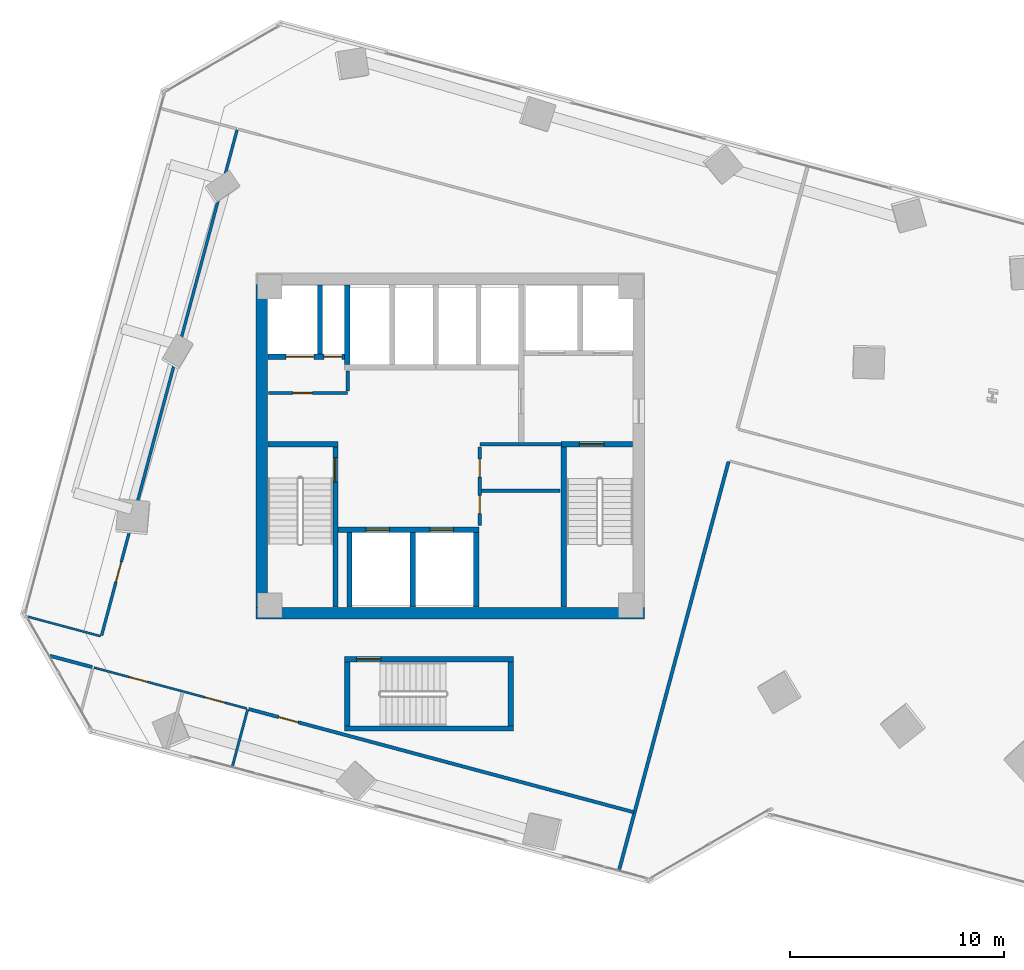
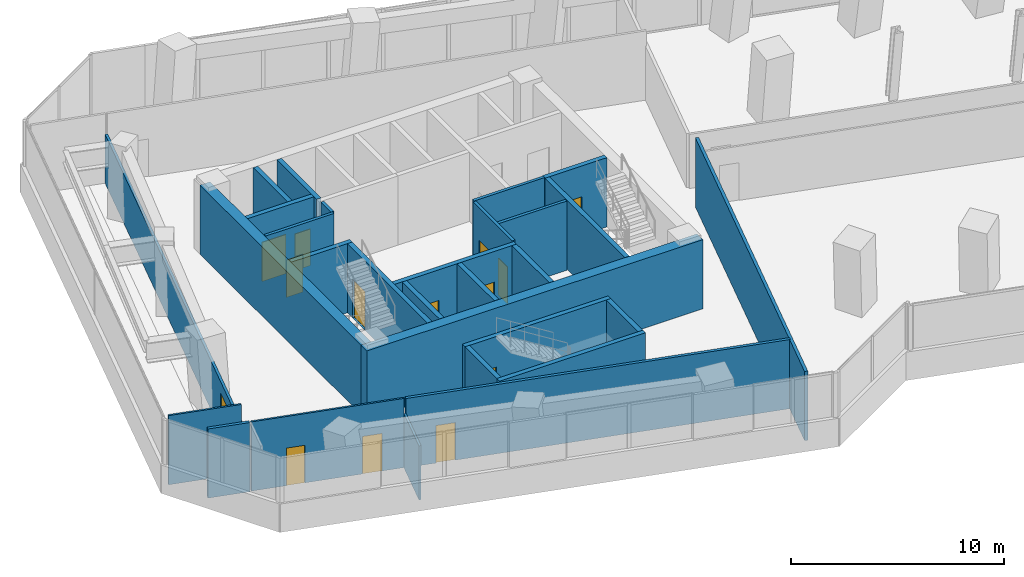
# One storey, part 20 of 26: 29 walls, 14 doors, 14 openings.
"""IFC4 building model written with IfcOpenShell, lengths in metres."""

from ifc_helpers import new_model, si_unit, direction, frame, frame_2d, origin, place, context, subcontext, project, spatial, rectangle, extrude, source, transform, mapped, material, layer, layer_set, type_object, element, fill, save


model = new_model("IFC4")

# Units and contexts
model_context = context("Model", 3, precision=1e-05, world=origin(), true_north=direction((0.0, 1.0)))
body_context = subcontext(model_context, "Body", "Model", "MODEL_VIEW")
ifc_project = project(units=[si_unit("LENGTHUNIT", "METRE"), si_unit("AREAUNIT", "SQUARE_METRE"), si_unit("VOLUMEUNIT", "CUBIC_METRE"), si_unit("PLANEANGLEUNIT", "RADIAN"), si_unit("MASSUNIT", "GRAM", prefix="KILO")], contexts=[model_context])

# Site, building, storey
site_placement = place(None, origin())
site = spatial("IfcSite", under=ifc_project, at=site_placement, CompositionType="ELEMENT")
building_placement = place(site_placement, origin())
building = spatial("IfcBuilding", under=site, at=building_placement, Name="Torre Montelarca", CompositionType="ELEMENT")
storey_placement = place(building_placement, frame((0.0, 0.0, 104.199951171875)))
storey = spatial("IfcBuildingStorey", under=building, at=storey_placement, Name="L23", CompositionType="ELEMENT", Elevation=104.199951171875)

# Wall, opening, door
ifc_material_1 = material(Name="Concrete C40/50", Category="concrete")
ifc_layer_1 = layer(ifc_material_1, 0.25, Name="Concrete C40/50", Category="concrete")
ifc_layer_set_1 = layer_set([ifc_layer_1], Name="Concrete C40/50")
wall_type_1 = type_object("IfcWallType", Name="CW-SHAFT-250", PredefinedType="SHEAR", material=ifc_layer_set_1)
wall_1_placement = place(storey_placement, frame((12.625, 24.4599609375, 0.0), z_axis=(0.0, 0.0, 1.0), x_axis=(0.0, 1.0, 0.0)))
wall_1 = element("IfcWall", 1, at=wall_1_placement, inside=storey, type_object=wall_type_1, Name="L23 Core Shear Wall SH-ST1-E", PredefinedType="SHEAR", context=body_context, shape_type="SweptSolid", body=[
    extrude(rectangle(XDim=7.489990234375, YDim=0.25, at=frame_2d((3.7451171875, 0.0))), origin(), (0.0, 0.0, 1.0), 3.9599609375),
])
opening_1_placement = place(wall_1_placement, frame((5.85009765625, 0.0, 0.0)))
opening_1 = element("IfcOpeningElement", 2, at=opening_1_placement, cuts=wall_1, Name="Opening FD-ST1", PredefinedType="OPENING", context=body_context, shape_type="SweptSolid", body=[
    extrude(rectangle(XDim=1.14990234375, YDim=2.199951171875, at=frame_2d((0.574951171875, 1.10009765625))), frame((0.0, 0.135009765625, 0.0), z_axis=(0.0, -1.0, 0.0), x_axis=(1.0, 0.0, 0.0)), (0.0, 0.0, 1.0), 0.27001953125),
])
ifc_material_2 = material(Name="Galvanized steel fire door", Category="steel")
door_type_1 = type_object("IfcDoorType", Name="DR-STAIR-115", OperationType="NOTDEFINED", PredefinedType="DOOR", material=ifc_material_2)
shared_shape_1 = source(origin(), body_context, "Body", "SweptSolid", [
    extrude(rectangle(XDim=1.14990234375, YDim=2.199951171875, at=frame_2d((0.574951171875, 1.10009765625))), frame((0.0, 0.02490234375, 0.0), z_axis=(0.0, -1.0, 0.0), x_axis=(1.0, 0.0, 0.0)), (0.0, 0.0, 1.0), 0.050048828125),
])
door_1_placement = place(opening_1_placement, origin())
door_1 = element("IfcDoor", 3, at=door_1_placement, inside=storey, type_object=door_type_1, Name="L23 Exit Stair ST1 Fire Door", OperationType="SINGLE_SWING_RIGHT", OverallHeight=2.199951171875, OverallWidth=1.14990234375, PredefinedType="DOOR", context=body_context, shape_type="MappedRepresentation", body=[
    mapped(shared_shape_1, transform((0.0, 0.0, 0.0), scale=1.0)),
])
fill(opening_1, door_1)

# Walls
wall_2_placement = place(storey_placement, frame((9.4599609375, 32.074951171875, 0.0), z_axis=(0.0, 0.0, 1.0), x_axis=(1.0, 0.0, 0.0)))
element("IfcWall", 4, at=wall_2_placement, inside=storey, type_object=wall_type_1, Name="L23 Core Shear Wall SH-ST1-N", PredefinedType="SHEAR", context=body_context, shape_type="SweptSolid", body=[
    extrude(rectangle(XDim=3.2900390625, YDim=0.25, at=frame_2d((1.64501953125, 0.0))), origin(), (0.0, 0.0, 1.0), 3.9599609375),
])
wall_3_placement = place(storey_placement, frame((23.31494140625, 24.4599609375, 0.0), z_axis=(0.0, 0.0, 1.0), x_axis=(0.0, 1.0, 0.0)))
element("IfcWall", 5, at=wall_3_placement, inside=storey, type_object=wall_type_1, Name="L23 Core Shear Wall SH-ST2-W", PredefinedType="SHEAR", context=body_context, shape_type="SweptSolid", body=[
    extrude(rectangle(XDim=7.489990234375, YDim=0.25, at=frame_2d((3.7451171875, 0.0))), origin(), (0.0, 0.0, 1.0), 3.9599609375),
])

# Wall, opening, door
wall_4_placement = place(storey_placement, frame((23.18994140625, 32.074951171875, 0.0), z_axis=(0.0, 0.0, 1.0), x_axis=(1.0, 0.0, 0.0)))
wall_4 = element("IfcWall", 6, at=wall_4_placement, inside=storey, type_object=wall_type_1, Name="L23 Core Shear Wall SH-ST2-N", PredefinedType="SHEAR", context=body_context, shape_type="SweptSolid", body=[
    extrude(rectangle(XDim=3.35009765625, YDim=0.25, at=frame_2d((1.675048828125, 0.0))), origin(), (0.0, 0.0, 1.0), 3.9599609375),
])
opening_2_placement = place(wall_4_placement, frame((0.85009765625, 0.0, 0.0)))
opening_2 = element("IfcOpeningElement", 7, at=opening_2_placement, cuts=wall_4, Name="Opening FD-ST1", PredefinedType="OPENING", context=body_context, shape_type="SweptSolid", body=[
    extrude(rectangle(XDim=1.14990234375, YDim=2.199951171875, at=frame_2d((0.574951171875, 1.10009765625))), frame((0.0, 0.135009765625, 0.0), z_axis=(0.0, -1.0, 0.0), x_axis=(1.0, 0.0, 0.0)), (0.0, 0.0, 1.0), 0.27001953125),
])
door_2_placement = place(opening_2_placement, origin())
door_2 = element("IfcDoor", 8, at=door_2_placement, inside=storey, type_object=door_type_1, Name="L23 Exit Stair ST2 Fire Door", OperationType="SINGLE_SWING_RIGHT", OverallHeight=2.199951171875, OverallWidth=1.14990234375, PredefinedType="DOOR", context=body_context, shape_type="MappedRepresentation", body=[
    mapped(shared_shape_1, transform((0.0, 0.0, 0.0), scale=1.0)),
])
fill(opening_2, door_2)

# Wall, openings, doors
wall_5_placement = place(storey_placement, frame((9.4599609375, 36.179931640625, 0.0), z_axis=(0.0, 0.0, 1.0), x_axis=(1.0, 0.0, 0.0)))
wall_5 = element("IfcWall", 9, at=wall_5_placement, inside=storey, type_object=wall_type_1, Name="L23 Core Shear Wall SH-SV1-S", PredefinedType="SHEAR", context=body_context, shape_type="SweptSolid", body=[
    extrude(rectangle(XDim=3.7900390625, YDim=0.25, at=frame_2d((1.89501953125, 0.0))), origin(), (0.0, 0.0, 1.0), 3.9599609375),
])
opening_3_placement = place(wall_5_placement, frame((2.6201171875, 0.0, 0.0)))
opening_3 = element("IfcOpeningElement", 10, at=opening_3_placement, cuts=wall_5, Name="Opening FD-085", PredefinedType="OPENING", context=body_context, shape_type="SweptSolid", body=[
    extrude(rectangle(XDim=0.85009765625, YDim=2.10009765625, at=frame_2d((0.425048828125, 1.050048828125))), frame((0.0, 0.135009765625, 0.0), z_axis=(0.0, -1.0, 0.0), x_axis=(1.0, 0.0, 0.0)), (0.0, 0.0, 1.0), 0.27001953125),
])
opening_4_placement = place(wall_5_placement, frame((0.85009765625, 0.0, 0.0)))
opening_4 = element("IfcOpeningElement", 11, at=opening_4_placement, cuts=wall_5, Name="Opening LD-130", PredefinedType="OPENING", context=body_context, shape_type="SweptSolid", body=[
    extrude(rectangle(XDim=1.300048828125, YDim=2.25, at=frame_2d((0.64990234375, 1.125))), frame((0.0, 0.135009765625, 0.0), z_axis=(0.0, -1.0, 0.0), x_axis=(1.0, 0.0, 0.0)), (0.0, 0.0, 1.0), 0.27001953125),
])
ifc_material_3 = material(Name="Steel riser access fire door", Category="steel")
door_type_2 = type_object("IfcDoorType", Name="DR-RISER-085", OperationType="NOTDEFINED", PredefinedType="DOOR", material=ifc_material_3)
shared_shape_2 = source(origin(), body_context, "Body", "SweptSolid", [
    extrude(rectangle(XDim=0.85009765625, YDim=2.10009765625, at=frame_2d((0.425048828125, 1.050048828125))), frame((0.0, 0.02490234375, 0.0), z_axis=(0.0, -1.0, 0.0), x_axis=(1.0, 0.0, 0.0)), (0.0, 0.0, 1.0), 0.050048828125),
])
door_3_placement = place(opening_3_placement, origin())
door_3 = element("IfcDoor", 12, at=door_3_placement, inside=storey, type_object=door_type_2, Name="L23 Electrical Riser Shaft Access Door", OperationType="SINGLE_SWING_RIGHT", OverallHeight=2.10009765625, OverallWidth=0.85009765625, PredefinedType="DOOR", context=body_context, shape_type="MappedRepresentation", body=[
    mapped(shared_shape_2, transform((0.0, 0.0, 0.0), scale=1.0)),
])
fill(opening_3, door_3)
ifc_material_4 = material(Name="Brushed stainless steel AISI 316", Category="steel")
door_type_3 = type_object("IfcDoorType", Name="DR-LIFT-130", OperationType="SLIDING_TO_LEFT", PredefinedType="DOOR", material=ifc_material_4)
shared_shape_3 = source(origin(), body_context, "Body", "SweptSolid", [
    extrude(rectangle(XDim=1.300048828125, YDim=2.25, at=frame_2d((0.64990234375, 1.125))), frame((0.0, 0.02490234375, 0.0), z_axis=(0.0, -1.0, 0.0), x_axis=(1.0, 0.0, 0.0)), (0.0, 0.0, 1.0), 0.050048828125),
])
door_4_placement = place(opening_4_placement, origin())
door_4 = element("IfcDoor", 13, at=door_4_placement, inside=storey, type_object=door_type_3, Name="L23 Lift Landing Sliding Door SV-1", OperationType="SLIDING_TO_LEFT", OverallHeight=2.25, OverallWidth=1.300048828125, PredefinedType="DOOR", context=body_context, shape_type="MappedRepresentation", body=[
    mapped(shared_shape_3, transform((0.0, 0.0, 0.0), scale=1.0)),
])
fill(opening_4, door_4)

# Wall
wall_6_placement = place(storey_placement, frame((11.89990234375, 36.31005859375, 0.0), z_axis=(0.0, 0.0, 1.0), x_axis=(0.0, 1.0, 0.0)))
element("IfcWall", 14, at=wall_6_placement, inside=storey, type_object=wall_type_1, Name="L23 Core Shear Wall SH-SV1-E", PredefinedType="SHEAR", context=body_context, shape_type="SweptSolid", body=[
    extrude(rectangle(XDim=3.22998046875, YDim=0.25, at=frame_2d((1.614990234375, 0.0))), origin(), (0.0, 0.0, 1.0), 3.9599609375),
])

# Wall, openings, doors
wall_7_placement = place(storey_placement, frame((12.6298828125, 28.080078125, 0.0), z_axis=(0.0, 0.0, 1.0), x_axis=(1.0, 0.0, 0.0)))
wall_7 = element("IfcWall", 15, at=wall_7_placement, inside=storey, type_object=wall_type_1, Name="L23 Core Shear Wall SH-PLL-N", PredefinedType="SHEAR", context=body_context, shape_type="SweptSolid", body=[
    extrude(rectangle(XDim=6.710205078125, YDim=0.25, at=frame_2d((3.35498046875, 0.0))), origin(), (0.0, 0.0, 1.0), 3.9599609375),
])
opening_5_placement = place(wall_7_placement, frame((1.429931640625, 0.0, 0.0)))
opening_5 = element("IfcOpeningElement", 16, at=opening_5_placement, cuts=wall_7, Name="Opening LD-110", PredefinedType="OPENING", context=body_context, shape_type="SweptSolid", body=[
    extrude(rectangle(XDim=1.10009765625, YDim=2.199951171875, at=frame_2d((0.550048828125, 1.10009765625))), frame((0.0, 0.135009765625, 0.0), z_axis=(0.0, -1.0, 0.0), x_axis=(1.0, 0.0, 0.0)), (0.0, 0.0, 1.0), 0.27001953125),
])
opening_6_placement = place(wall_7_placement, frame((4.429931640625, 0.0, 0.0)))
opening_6 = element("IfcOpeningElement", 17, at=opening_6_placement, cuts=wall_7, Name="Opening LD-110", PredefinedType="OPENING", context=body_context, shape_type="SweptSolid", body=[
    extrude(rectangle(XDim=1.10009765625, YDim=2.199951171875, at=frame_2d((0.550048828125, 1.10009765625))), frame((0.0, 0.135009765625, 0.0), z_axis=(0.0, -1.0, 0.0), x_axis=(1.0, 0.0, 0.0)), (0.0, 0.0, 1.0), 0.27001953125),
])
door_type_4 = type_object("IfcDoorType", Name="DR-LIFT-110", OperationType="SLIDING_TO_LEFT", PredefinedType="DOOR", material=ifc_material_4)
shared_shape_4 = source(origin(), body_context, "Body", "SweptSolid", [
    extrude(rectangle(XDim=1.10009765625, YDim=2.199951171875, at=frame_2d((0.550048828125, 1.10009765625))), frame((0.0, 0.02490234375, 0.0), z_axis=(0.0, -1.0, 0.0), x_axis=(1.0, 0.0, 0.0)), (0.0, 0.0, 1.0), 0.050048828125),
])
door_5_placement = place(opening_5_placement, origin())
door_5 = element("IfcDoor", 18, at=door_5_placement, inside=storey, type_object=door_type_4, Name="L23 Lift Landing Sliding Door PL-L1", OperationType="SLIDING_TO_LEFT", OverallHeight=2.199951171875, OverallWidth=1.10009765625, PredefinedType="DOOR", context=body_context, shape_type="MappedRepresentation", body=[
    mapped(shared_shape_4, transform((0.0, 0.0, 0.0), scale=1.0)),
])
fill(opening_5, door_5)
door_6_placement = place(opening_6_placement, origin())
door_6 = element("IfcDoor", 19, at=door_6_placement, inside=storey, type_object=door_type_4, Name="L23 Lift Landing Sliding Door PL-L2", OperationType="SLIDING_TO_RIGHT", OverallHeight=2.199951171875, OverallWidth=1.10009765625, PredefinedType="DOOR", context=body_context, shape_type="MappedRepresentation", body=[
    mapped(shared_shape_4, transform((0.0, 0.0, 0.0), scale=1.0)),
])
fill(opening_6, door_6)

# Walls
for number, where, z_axis, x_axis, name in (
    (20, (13.280029296875, 24.4599609375, 0.0), (0.0, 0.0, 1.0), (0.0, 1.0, 0.0), "L23 Core Shear Wall SH-PLL-W"),
    (21, (16.25, 24.4599609375, 0.0), (0.0, 0.0, 1.0), (0.0, 1.0, 0.0), "L23 Core Shear Wall SH-PLL-M"),
    (22, (19.219970703125, 24.4599609375, 0.0), (0.0, 0.0, 1.0), (0.0, 1.0, 0.0), "L23 Core Shear Wall SH-PLL-E"),
):
    element("IfcWall", number, at=place(storey_placement, frame(where, z_axis=z_axis, x_axis=x_axis)), inside=storey, type_object=wall_type_1, Name=name, PredefinedType="SHEAR", context=body_context, shape_type="SweptSolid", body=[
        extrude(rectangle(XDim=3.489990234375, YDim=0.25, at=frame_2d((1.7451171875, 0.0))), origin(), (0.0, 0.0, 1.0), 3.9599609375),
    ])
wall_8_placement = place(storey_placement, frame((13.179931640625, 35.81005859375, 0.0), z_axis=(0.0, 0.0, 1.0), x_axis=(0.0, 1.0, 0.0)))
element("IfcWall", 23, at=wall_8_placement, inside=storey, type_object=wall_type_1, Name="L23 Core Shear Wall SH-PLM-W", PredefinedType="SHEAR", context=body_context, shape_type="SweptSolid", body=[
    extrude(rectangle(XDim=3.72998046875, YDim=0.25, at=frame_2d((1.864990234375, 0.0))), origin(), (0.0, 0.0, 1.0), 3.9599609375),
])
for number, where, z_axis, x_axis, name in (
    (24, (13.175048828125, 18.89990234375, 0.0), (0.0, 0.0, 1.0), (0.0, 1.0, 0.0), "L23 Core Shear Wall SH-ST3-W"),
    (25, (20.824951171875, 18.89990234375, 0.0), (0.0, 0.0, 1.0), (0.0, 1.0, 0.0), "L23 Core Shear Wall SH-ST3-E"),
):
    element("IfcWall", number, at=place(storey_placement, frame(where, z_axis=z_axis, x_axis=x_axis)), inside=storey, type_object=wall_type_1, Name=name, PredefinedType="SHEAR", context=body_context, shape_type="SweptSolid", body=[
        extrude(rectangle(XDim=2.989990234375, YDim=0.25, at=frame_2d((1.4951171875, 0.0))), origin(), (0.0, 0.0, 1.0), 3.9599609375),
    ])
wall_9_placement = place(storey_placement, frame((13.050048828125, 18.77490234375, 0.0), z_axis=(0.0, 0.0, 1.0), x_axis=(1.0, 0.0, 0.0)))
element("IfcWall", 26, at=wall_9_placement, inside=storey, type_object=wall_type_1, Name="L23 Core Shear Wall SH-ST3-S", PredefinedType="SHEAR", context=body_context, shape_type="SweptSolid", body=[
    extrude(rectangle(XDim=7.89990234375, YDim=0.25, at=frame_2d((3.949951171875, 0.0))), origin(), (0.0, 0.0, 1.0), 3.9599609375),
])

# Wall, opening, door
wall_10_placement = place(storey_placement, frame((13.050048828125, 22.014892578125, 0.0), z_axis=(0.0, 0.0, 1.0), x_axis=(1.0, 0.0, 0.0)))
wall_10 = element("IfcWall", 27, at=wall_10_placement, inside=storey, type_object=wall_type_1, Name="L23 Core Shear Wall SH-ST3-N", PredefinedType="SHEAR", context=body_context, shape_type="SweptSolid", body=[
    extrude(rectangle(XDim=7.89990234375, YDim=0.25, at=frame_2d((3.949951171875, 0.0))), origin(), (0.0, 0.0, 1.0), 3.9599609375),
])
opening_7_placement = place(wall_10_placement, frame((0.550048828125, 0.0, 0.0)))
opening_7 = element("IfcOpeningElement", 28, at=opening_7_placement, cuts=wall_10, Name="Opening FD-ST1", PredefinedType="OPENING", context=body_context, shape_type="SweptSolid", body=[
    extrude(rectangle(XDim=1.14990234375, YDim=2.199951171875, at=frame_2d((0.574951171875, 1.10009765625))), frame((0.0, 0.135009765625, 0.0), z_axis=(0.0, -1.0, 0.0), x_axis=(1.0, 0.0, 0.0)), (0.0, 0.0, 1.0), 0.27001953125),
])
door_7_placement = place(opening_7_placement, origin())
door_7 = element("IfcDoor", 29, at=door_7_placement, inside=storey, type_object=door_type_1, Name="L23 Exit Stair ST3 Fire Door", OperationType="SINGLE_SWING_LEFT", OverallHeight=2.199951171875, OverallWidth=1.14990234375, PredefinedType="DOOR", context=body_context, shape_type="MappedRepresentation", body=[
    mapped(shared_shape_1, transform((0.0, 0.0, 0.0), scale=1.0)),
])
fill(opening_7, door_7)

# Walls
ifc_material_5 = material(Name="Concrete C70/85", Category="concrete")
ifc_layer_2 = layer(ifc_material_5, 0.550048828125, Name="Concrete C70/85", Category="concrete")
ifc_layer_set_2 = layer_set([ifc_layer_2], Name="Concrete C70/85")
wall_type_2 = type_object("IfcWallType", Name="CW-SHEAR-550", PredefinedType="SHEAR", material=ifc_layer_set_2)
wall_11_placement = place(storey_placement, frame((9.175048828125, 24.449951171875, 0.0), z_axis=(0.0, 0.0, 1.0), x_axis=(0.0, 1.0, 0.0)))
element("IfcWall", 30, at=wall_11_placement, inside=storey, type_object=wall_type_2, Name="L23 Core Shear Wall CW-W", PredefinedType="SHEAR", context=body_context, shape_type="SweptSolid", body=[
    extrude(rectangle(XDim=15.10009765625, YDim=0.550048828125, at=frame_2d((7.550048828125, 0.0))), origin(), (0.0, 0.0, 1.0), 3.9599609375),
])
wall_12_placement = place(storey_placement, frame((8.89990234375, 24.175048828125, 0.0), z_axis=(0.0, 0.0, 1.0), x_axis=(1.0, 0.0, 0.0)))
element("IfcWall", 31, at=wall_12_placement, inside=storey, type_object=wall_type_2, Name="L23 Core Shear Wall CW-S1", PredefinedType="SHEAR", context=body_context, shape_type="SweptSolid", body=[
    extrude(rectangle(XDim=18.2001953125, YDim=0.550048828125, at=frame_2d((9.10009765625, 0.0))), origin(), (0.0, 0.0, 1.0), 3.9599609375),
])

# Wall, opening, door
ifc_material_6 = material(Name="Gypsum plasterboard on steel stud", Category="steel")
ifc_layer_3 = layer(ifc_material_6, 0.159912109375, Name="Gypsum plasterboard on steel stud", Category="steel")
ifc_layer_set_3 = layer_set([ifc_layer_3], Name="Gypsum plasterboard on steel stud")
wall_type_3 = type_object("IfcWallType", Name="PW-FIRE-160", PredefinedType="PARTITIONING", material=ifc_layer_set_3)
wall_13_placement = place(storey_placement, frame((9.489990234375, 34.47998046875, 0.0), z_axis=(0.0, 0.0, 1.0), x_axis=(1.0, 0.0, 0.0)))
wall_13 = element("IfcWall", 32, at=wall_13_placement, inside=storey, type_object=wall_type_3, Name="L23 Interior Partition CW-L23-SVS", PredefinedType="PARTITIONING", context=body_context, shape_type="SweptSolid", body=[
    extrude(rectangle(XDim=3.699951171875, YDim=0.159912109375, at=frame_2d((1.85009765625, 0.0))), origin(), (0.0, 0.0, 1.0), 3.9599609375),
])
opening_8_placement = place(wall_13_placement, frame((1.14990234375, 0.0, 0.0)))
opening_8 = element("IfcOpeningElement", 33, at=opening_8_placement, cuts=wall_13, Name="Opening FD-090", PredefinedType="OPENING", context=body_context, shape_type="SweptSolid", body=[
    extrude(rectangle(XDim=0.89990234375, YDim=2.14990234375, at=frame_2d((0.449951171875, 1.074951171875))), frame((0.0, 0.08984375, 0.0), z_axis=(0.0, -1.0, 0.0), x_axis=(1.0, 0.0, 0.0)), (0.0, 0.0, 1.0), 0.179931640625),
])
ifc_material_7 = material(Name="Steel service fire door", Category="steel")
door_type_5 = type_object("IfcDoorType", Name="DR-FIRE-090", OperationType="NOTDEFINED", PredefinedType="DOOR", material=ifc_material_7)
shared_shape_5 = source(origin(), body_context, "Body", "SweptSolid", [
    extrude(rectangle(XDim=0.89990234375, YDim=2.14990234375, at=frame_2d((0.449951171875, 1.074951171875))), frame((0.0, 0.02490234375, 0.0), z_axis=(0.0, -1.0, 0.0), x_axis=(1.0, 0.0, 0.0)), (0.0, 0.0, 1.0), 0.050048828125),
])
door_8_placement = place(opening_8_placement, origin())
door_8 = element("IfcDoor", 34, at=door_8_placement, inside=storey, type_object=door_type_5, Name="L23 Interior Door 01", OperationType="SINGLE_SWING_RIGHT", OverallHeight=2.14990234375, OverallWidth=0.89990234375, PredefinedType="DOOR", context=body_context, shape_type="MappedRepresentation", body=[
    mapped(shared_shape_5, transform((0.0, 0.0, 0.0), scale=1.0)),
])
fill(opening_8, door_8)

# Walls
wall_14_placement = place(storey_placement, frame((13.199951171875, 34.570068359375, 0.0), z_axis=(0.0, 0.0, 1.0), x_axis=(0.0, 1.0, 0.0)))
element("IfcWall", 35, at=wall_14_placement, inside=storey, type_object=wall_type_3, Name="L23 Interior Partition CW-L23-SVE", PredefinedType="PARTITIONING", context=body_context, shape_type="SweptSolid", body=[
    extrude(rectangle(XDim=0.93994140625, YDim=0.159912109375, at=frame_2d((0.469970703125, 0.0))), origin(), (0.0, 0.0, 1.0), 3.9599609375),
])
wall_15_placement = place(storey_placement, frame((19.389892578125, 32.080078125, 0.0), z_axis=(0.0, 0.0, 1.0), x_axis=(1.0, 0.0, 0.0)))
element("IfcWall", 36, at=wall_15_placement, inside=storey, type_object=wall_type_3, Name="L23 Interior Partition CW-L23-SEN", PredefinedType="PARTITIONING", context=body_context, shape_type="SweptSolid", body=[
    extrude(rectangle(XDim=3.820068359375, YDim=0.159912109375, at=frame_2d((1.91015625, 0.0))), origin(), (0.0, 0.0, 1.0), 3.9599609375),
])

# Wall, openings, doors
wall_16_placement = place(storey_placement, frame((19.3798828125, 28.2900390625, 0.0), z_axis=(0.0, 0.0, 1.0), x_axis=(0.0, 1.0, 0.0)))
wall_16 = element("IfcWall", 37, at=wall_16_placement, inside=storey, type_object=wall_type_3, Name="L23 Interior Partition CW-L23-SEW", PredefinedType="PARTITIONING", context=body_context, shape_type="SweptSolid", body=[
    extrude(rectangle(XDim=3.669921875, YDim=0.159912109375, at=frame_2d((1.8349609375, 0.0))), origin(), (0.0, 0.0, 1.0), 3.9599609375),
])
opening_9_placement = place(wall_16_placement, frame((0.550048828125, 0.0, 0.0)))
opening_9 = element("IfcOpeningElement", 38, at=opening_9_placement, cuts=wall_16, Name="Opening FD-085", PredefinedType="OPENING", context=body_context, shape_type="SweptSolid", body=[
    extrude(rectangle(XDim=0.85009765625, YDim=2.10009765625, at=frame_2d((0.425048828125, 1.050048828125))), frame((0.0, 0.08984375, 0.0), z_axis=(0.0, -1.0, 0.0), x_axis=(1.0, 0.0, 0.0)), (0.0, 0.0, 1.0), 0.179931640625),
])
opening_10_placement = place(wall_16_placement, frame((2.25, 0.0, 0.0)))
opening_10 = element("IfcOpeningElement", 39, at=opening_10_placement, cuts=wall_16, Name="Opening FD-085", PredefinedType="OPENING", context=body_context, shape_type="SweptSolid", body=[
    extrude(rectangle(XDim=0.85009765625, YDim=2.10009765625, at=frame_2d((0.425048828125, 1.050048828125))), frame((0.0, 0.08984375, 0.0), z_axis=(0.0, -1.0, 0.0), x_axis=(1.0, 0.0, 0.0)), (0.0, 0.0, 1.0), 0.179931640625),
])
door_9_placement = place(opening_9_placement, origin())
door_9 = element("IfcDoor", 40, at=door_9_placement, inside=storey, type_object=door_type_2, Name="L23 Interior Door 02", OperationType="SINGLE_SWING_LEFT", OverallHeight=2.10009765625, OverallWidth=0.85009765625, PredefinedType="DOOR", context=body_context, shape_type="MappedRepresentation", body=[
    mapped(shared_shape_2, transform((0.0, 0.0, 0.0), scale=1.0)),
])
fill(opening_9, door_9)
door_10_placement = place(opening_10_placement, origin())
door_10 = element("IfcDoor", 41, at=door_10_placement, inside=storey, type_object=door_type_2, Name="L23 Interior Door 03", OperationType="SINGLE_SWING_RIGHT", OverallHeight=2.10009765625, OverallWidth=0.85009765625, PredefinedType="DOOR", context=body_context, shape_type="MappedRepresentation", body=[
    mapped(shared_shape_2, transform((0.0, 0.0, 0.0), scale=1.0)),
])
fill(opening_10, door_10)

# Walls
wall_17_placement = place(storey_placement, frame((19.419921875, 29.89990234375, 0.0), z_axis=(0.0, 0.0, 1.0), x_axis=(1.0, 0.0, 0.0)))
element("IfcWall", 42, at=wall_17_placement, inside=storey, type_object=wall_type_3, Name="L23 Interior Partition CW-L23-SEM", PredefinedType="PARTITIONING", context=body_context, shape_type="SweptSolid", body=[
    extrude(rectangle(XDim=3.719970703125, YDim=0.159912109375, at=frame_2d((1.85986328125, 0.0))), origin(), (0.0, 0.0, 1.0), 3.9599609375),
])
wall_18_placement = place(storey_placement, frame((-0.7216796875, 22.176513671875, 0.0), z_axis=(0.0, 0.0, 1.0), x_axis=(0.965965207833, -0.258672026426, 0.0)))
element("IfcWall", 43, at=wall_18_placement, inside=storey, type_object=wall_type_3, Name="L23 Interior Partition W-L23-SOCCW", PredefinedType="PARTITIONING", context=body_context, shape_type="SweptSolid", body=[
    extrude(rectangle(XDim=2.031982421875, YDim=0.159912109375, at=frame_2d((1.01611328125, 0.0))), origin(), (0.0, 0.0, 1.0), 3.9599609375),
])

# Wall, opening, door
wall_19_placement = place(storey_placement, frame((8.562744140625, 19.688720703125, 0.0), z_axis=(0.0, 0.0, 1.0), x_axis=(0.965928721089, -0.258808241319, 0.0)))
wall_19 = element("IfcWall", 44, at=wall_19_placement, inside=storey, type_object=wall_type_3, Name="L23 Interior Partition W-L23-SOCCN", PredefinedType="PARTITIONING", context=body_context, shape_type="SweptSolid", body=[
    extrude(rectangle(XDim=18.659912109375, YDim=0.159912109375, at=frame_2d((9.330078125, 0.0))), origin(), (0.0, 0.0, 1.0), 3.9599609375),
])
opening_11_placement = place(wall_19_placement, frame((1.449951171875, 0.0, 0.0)))
opening_11 = element("IfcOpeningElement", 45, at=opening_11_placement, cuts=wall_19, Name="Opening FD-095", PredefinedType="OPENING", context=body_context, shape_type="SweptSolid", body=[
    extrude(rectangle(XDim=0.949951171875, YDim=2.14990234375, at=frame_2d((0.47509765625, 1.074951171875))), frame((0.0, 0.08984375, 0.0), z_axis=(0.0, -1.0, 0.0), x_axis=(1.0, 0.0, 0.0)), (0.0, 0.0, 1.0), 0.179931640625),
])
ifc_material_8 = material(Name="Timber fire-rated room door", Category="wood")
door_type_6 = type_object("IfcDoorType", Name="DR-FIRE-095", OperationType="NOTDEFINED", PredefinedType="DOOR", material=ifc_material_8)
shared_shape_6 = source(origin(), body_context, "Body", "SweptSolid", [
    extrude(rectangle(XDim=0.949951171875, YDim=2.14990234375, at=frame_2d((0.47509765625, 1.074951171875))), frame((0.0, 0.02490234375, 0.0), z_axis=(0.0, -1.0, 0.0), x_axis=(1.0, 0.0, 0.0)), (0.0, 0.0, 1.0), 0.050048828125),
])
door_11_placement = place(opening_11_placement, origin())
door_11 = element("IfcDoor", 46, at=door_11_placement, inside=storey, type_object=door_type_6, Name="L23 Interior Door 06", OperationType="SINGLE_SWING_RIGHT", OverallHeight=2.14990234375, OverallWidth=0.949951171875, PredefinedType="DOOR", context=body_context, shape_type="MappedRepresentation", body=[
    mapped(shared_shape_6, transform((0.0, 0.0, 0.0), scale=1.0)),
])
fill(opening_11, door_11)

# Wall
wall_20_placement = place(storey_placement, frame((25.90625, 12.163818359375, 0.0), z_axis=(0.0, 0.0, 1.0), x_axis=(0.258805595447, 0.965929430013, 0.0)))
element("IfcWall", 47, at=wall_20_placement, inside=storey, type_object=wall_type_3, Name="L23 Interior Partition W-L23-ECS", PredefinedType="PARTITIONING", context=body_context, shape_type="SweptSolid", body=[
    extrude(rectangle(XDim=19.77978515625, YDim=0.159912109375, at=frame_2d((9.889892578125, 0.0))), origin(), (0.0, 0.0, 1.0), 3.9599609375),
])

# Wall, openings, doors
ifc_material_9 = material(Name="Acoustic laminated glass partition", Category="glass")
ifc_layer_4 = layer(ifc_material_9, 0.10009765625, Name="Acoustic laminated glass partition", Category="glass")
ifc_layer_set_4 = layer_set([ifc_layer_4], Name="Acoustic laminated glass partition")
wall_type_4 = type_object("IfcWallType", Name="PW-GLAZ-100", PredefinedType="PARTITIONING", material=ifc_layer_set_4)
wall_21_placement = place(storey_placement, frame((1.318359375, 21.6298828125, 0.0), z_axis=(0.0, 0.0, 1.0), x_axis=(0.965935568552, -0.258782683744, 0.0)))
wall_21 = element("IfcWall", 48, at=wall_21_placement, inside=storey, type_object=wall_type_4, Name="L23 Interior Partition W-L23-WCN", PredefinedType="PARTITIONING", context=body_context, shape_type="SweptSolid", body=[
    extrude(rectangle(XDim=7.419921875, YDim=0.10009765625, at=frame_2d((3.7099609375, 0.0))), origin(), (0.0, 0.0, 1.0), 3.9599609375),
])
opening_12_placement = place(wall_21_placement, frame((1.699951171875, 0.0, 0.0)))
opening_12 = element("IfcOpeningElement", 49, at=opening_12_placement, cuts=wall_21, Name="Opening ID-090", PredefinedType="OPENING", context=body_context, shape_type="SweptSolid", body=[
    extrude(rectangle(XDim=0.89990234375, YDim=2.14990234375, at=frame_2d((0.449951171875, 1.074951171875))), frame((0.0, 0.06005859375, 0.0), z_axis=(0.0, -1.0, 0.0), x_axis=(1.0, 0.0, 0.0)), (0.0, 0.0, 1.0), 0.1201171875),
])
opening_13_placement = place(wall_21_placement, frame((5.39990234375, 0.0, 0.0)))
opening_13 = element("IfcOpeningElement", 50, at=opening_13_placement, cuts=wall_21, Name="Opening ID-095", PredefinedType="OPENING", context=body_context, shape_type="SweptSolid", body=[
    extrude(rectangle(XDim=0.949951171875, YDim=2.14990234375, at=frame_2d((0.47509765625, 1.074951171875))), frame((0.0, 0.06005859375, 0.0), z_axis=(0.0, -1.0, 0.0), x_axis=(1.0, 0.0, 0.0)), (0.0, 0.0, 1.0), 0.1201171875),
])
ifc_material_10 = material(Name="Hardwood acoustic timber veneer", Category="wood")
door_type_7 = type_object("IfcDoorType", Name="DR-INT-090", OperationType="NOTDEFINED", PredefinedType="DOOR", material=ifc_material_10)
shared_shape_7 = source(origin(), body_context, "Body", "SweptSolid", [
    extrude(rectangle(XDim=0.89990234375, YDim=2.14990234375, at=frame_2d((0.449951171875, 1.074951171875))), frame((0.0, 0.02490234375, 0.0), z_axis=(0.0, -1.0, 0.0), x_axis=(1.0, 0.0, 0.0)), (0.0, 0.0, 1.0), 0.050048828125),
])
door_12_placement = place(opening_12_placement, origin())
door_12 = element("IfcDoor", 51, at=door_12_placement, inside=storey, type_object=door_type_7, Name="L23 Interior Door 04", OperationType="SINGLE_SWING_LEFT", OverallHeight=2.14990234375, OverallWidth=0.89990234375, PredefinedType="DOOR", context=body_context, shape_type="MappedRepresentation", body=[
    mapped(shared_shape_7, transform((0.0, 0.0, 0.0), scale=1.0)),
])
fill(opening_12, door_12)
door_type_8 = type_object("IfcDoorType", Name="DR-INT-095", OperationType="NOTDEFINED", PredefinedType="DOOR", material=ifc_material_10)
shared_shape_8 = source(origin(), body_context, "Body", "SweptSolid", [
    extrude(rectangle(XDim=0.949951171875, YDim=2.14990234375, at=frame_2d((0.47509765625, 1.074951171875))), frame((0.0, 0.02490234375, 0.0), z_axis=(0.0, -1.0, 0.0), x_axis=(1.0, 0.0, 0.0)), (0.0, 0.0, 1.0), 0.050048828125),
])
door_13_placement = place(opening_13_placement, origin())
door_13 = element("IfcDoor", 52, at=door_13_placement, inside=storey, type_object=door_type_8, Name="L23 Interior Door 05", OperationType="SINGLE_SWING_RIGHT", OverallHeight=2.14990234375, OverallWidth=0.949951171875, PredefinedType="DOOR", context=body_context, shape_type="MappedRepresentation", body=[
    mapped(shared_shape_8, transform((0.0, 0.0, 0.0), scale=1.0)),
])
fill(opening_13, door_13)

# Walls
wall_22_placement = place(storey_placement, frame((-1.782470703125, 24.013671875, 0.0), z_axis=(0.0, 0.0, 1.0), x_axis=(0.965936019953, -0.258780998834, 0.0)))
element("IfcWall", 53, at=wall_22_placement, inside=storey, type_object=wall_type_4, Name="L23 Interior Partition W-L23-WWGS", PredefinedType="PARTITIONING", context=body_context, shape_type="SweptSolid", body=[
    extrude(rectangle(XDim=3.5322265625, YDim=0.10009765625, at=frame_2d((1.76611328125, 0.0))), origin(), (0.0, 0.0, 1.0), 3.9599609375),
])
ifc_layer_5 = layer(ifc_material_6, 0.114990234375, Name="Gypsum plasterboard on steel stud", Category="steel")
ifc_layer_set_5 = layer_set([ifc_layer_5], Name="Gypsum plasterboard on steel stud")
wall_type_5 = type_object("IfcWallType", Name="PW-PART-115", PredefinedType="PARTITIONING", material=ifc_layer_set_5)
wall_23_placement = place(storey_placement, frame((7.8046875, 17.013916015625, 0.0), z_axis=(0.0, 0.0, 1.0), x_axis=(0.258832579125, 0.965922199757, 0.0)))
element("IfcWall", 54, at=wall_23_placement, inside=storey, type_object=wall_type_5, Name="L23 Interior Partition W-L23-SWCDIV", PredefinedType="PARTITIONING", context=body_context, shape_type="SweptSolid", body=[
    extrude(rectangle(XDim=2.739990234375, YDim=0.114990234375, at=frame_2d((1.3701171875, 0.0))), origin(), (0.0, 0.0, 1.0), 3.094970703125),
])

# Wall, opening, door
ifc_layer_6 = layer(ifc_material_6, 0.135009765625, Name="Gypsum plasterboard on steel stud", Category="steel")
ifc_layer_set_6 = layer_set([ifc_layer_6], Name="Gypsum plasterboard on steel stud")
wall_type_6 = type_object("IfcWallType", Name="PW-PART-135", PredefinedType="PARTITIONING", material=ifc_layer_set_6)
wall_24_placement = place(storey_placement, frame((1.678466796875, 23.1279296875, 0.0), z_axis=(0.0, 0.0, 1.0), x_axis=(0.258813756198, 0.965927243431, 0.0)))
wall_24 = element("IfcWall", 55, at=wall_24_placement, inside=storey, type_object=wall_type_6, Name="L23 Interior Partition W-L23-WWGE", PredefinedType="PARTITIONING", context=body_context, shape_type="SweptSolid", body=[
    extrude(rectangle(XDim=24.510009765625, YDim=0.135009765625, at=frame_2d((12.2548828125, 0.0))), origin(), (0.0, 0.0, 1.0), 2.795166015625),
])
opening_14_placement = place(wall_24_placement, frame((2.60009765625, 0.0, 0.0)))
opening_14 = element("IfcOpeningElement", 56, at=opening_14_placement, cuts=wall_24, Name="Opening ID-095", PredefinedType="OPENING", context=body_context, shape_type="SweptSolid", body=[
    extrude(rectangle(XDim=0.949951171875, YDim=2.14990234375, at=frame_2d((0.47509765625, 1.074951171875))), frame((0.0, 0.07763671875, 0.0), z_axis=(0.0, -1.0, 0.0), x_axis=(1.0, 0.0, 0.0)), (0.0, 0.0, 1.0), 0.155029296875),
])
door_14_placement = place(opening_14_placement, origin())
door_14 = element("IfcDoor", 57, at=door_14_placement, inside=storey, type_object=door_type_8, Name="L23 Interior Door 08", OperationType="SINGLE_SWING_LEFT", OverallHeight=2.14990234375, OverallWidth=0.949951171875, PredefinedType="DOOR", context=body_context, shape_type="MappedRepresentation", body=[
    mapped(shared_shape_8, transform((0.0, 0.0, 0.0), scale=1.0)),
])
fill(opening_14, door_14)

save(model, "model.ifc")
